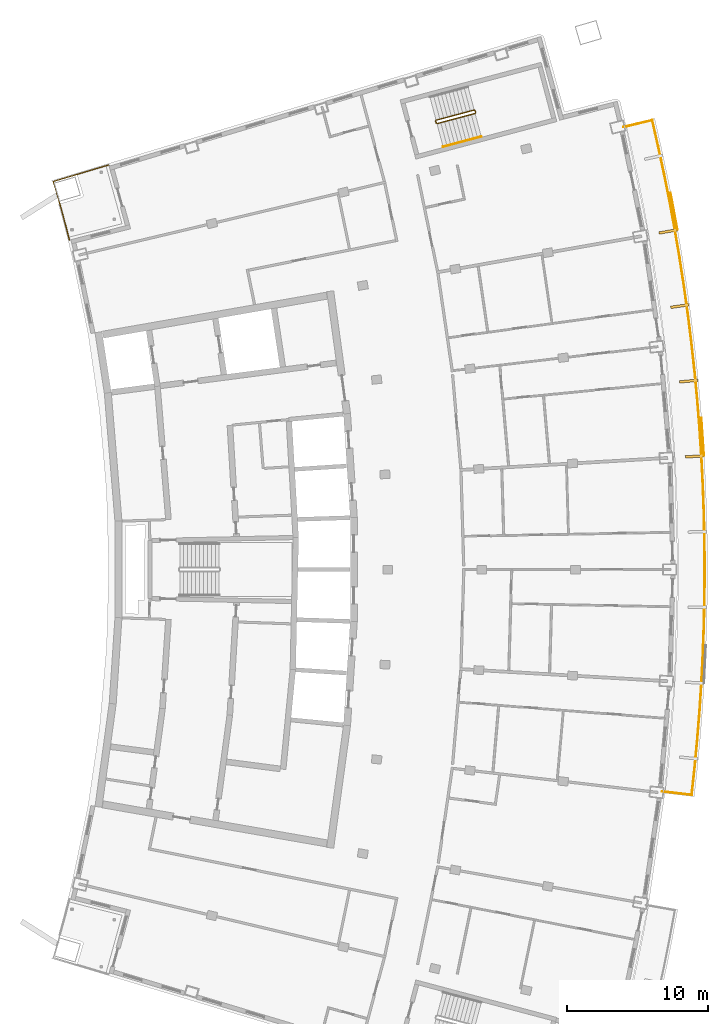
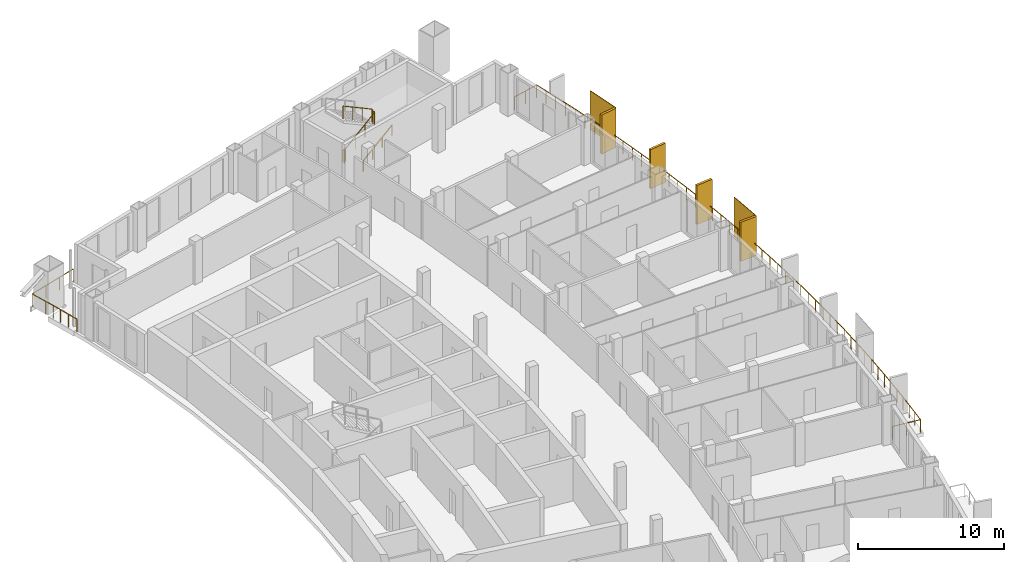
# One storey, part 15 of 16: 6 shading devices, 4 railings.
"""IFC4 building model written with IfcOpenShell, lengths in metres."""

from ifc_helpers import new_model, si_unit, direction, frame, origin, origin_2d, place, context, subcontext, project, spatial, rectangle, extrude, material, layer, layer_set, type_object, element, save


model = new_model("IFC4")

# Units and contexts
model_context = context("Model", 3, precision=1e-05, world=origin(), true_north=direction((0.0, 1.0)))
body_context = subcontext(model_context, "Body", "Model", "MODEL_VIEW")
ifc_project = project(units=[si_unit("LENGTHUNIT", "METRE"), si_unit("AREAUNIT", "SQUARE_METRE"), si_unit("VOLUMEUNIT", "CUBIC_METRE"), si_unit("PLANEANGLEUNIT", "RADIAN"), si_unit("MASSUNIT", "GRAM", prefix="KILO")], contexts=[model_context])

# Site, building, storey
site_placement = place(None, origin())
site = spatial("IfcSite", under=ifc_project, at=site_placement, CompositionType="ELEMENT")
building_placement = place(site_placement, origin())
building = spatial("IfcBuilding", under=site, at=building_placement, Name="Alderwake Tower", CompositionType="ELEMENT")
storey_placement = place(building_placement, frame((0.0, 0.0, 281.60009765625)))
storey = spatial("IfcBuildingStorey", under=building, at=storey_placement, Name="L70", CompositionType="ELEMENT", Elevation=281.60009765625)

# Railings
ifc_material_1 = material(Name="Stainless steel 316 rail and posts", Category="steel")
railing_type_1 = type_object("IfcRailingType", Name="Balcony guard 1100", PredefinedType="GUARDRAIL", material=ifc_material_1)
railing_1_placement = place(storey_placement, frame((55.28564453125, 45.243896484375, 0.0)))
element("IfcRailing", 1, at=railing_1_placement, inside=storey, type_object=railing_type_1, Name="Guard BF05", PredefinedType="GUARDRAIL", context=body_context, shape_type="SweptSolid", body=[
    extrude(rectangle(XDim=0.048095703125, YDim=0.048095703125, at=origin_2d()), frame((0.0, 0.0, 1.076171875), z_axis=(0.993287203457, -0.115674247125, 0.0), x_axis=(0.115674247125, 0.993287203457, 0.0)), (0.0, 0.0, 1.0), 2.10009765625),
    extrude(rectangle(XDim=0.048095703125, YDim=0.048095703125, at=origin_2d()), frame((2.0859375, -0.242919921875, 1.076171875), z_axis=(0.108767888102, 0.994067174047, 0.0), x_axis=(-0.994067174047, 0.108767888102, 0.0)), (0.0, 0.0, 1.0), 1.9169921875),
    extrude(rectangle(XDim=0.048095703125, YDim=0.048095703125, at=origin_2d()), frame((2.29443359375, 1.66259765625, 1.076171875), z_axis=(0.094660568138, 0.995509606604, 0.0), x_axis=(-0.995509606604, 0.094660568138, 0.0)), (0.0, 0.0, 1.0), 2.016845703125),
    extrude(rectangle(XDim=0.048095703125, YDim=0.048095703125, at=origin_2d()), frame((2.4853515625, 3.67041015625, 1.076171875), z_axis=(0.080139758047, 0.996783637095, 0.0), x_axis=(-0.996783637095, 0.080139758047, 0.0)), (0.0, 0.0, 1.0), 2.016845703125),
    extrude(rectangle(XDim=0.048095703125, YDim=0.048095703125, at=origin_2d()), frame((2.64697265625, 5.6806640625, 1.076171875), z_axis=(0.065490546604, 0.997853189756, 0.0), x_axis=(-0.997853189756, 0.065490546604, 0.0)), (0.0, 0.0, 1.0), 2.016845703125),
    extrude(rectangle(XDim=0.048095703125, YDim=0.048095703125, at=origin_2d()), frame((2.779052734375, 7.693115234375, 1.076171875), z_axis=(0.051078552606, 0.998694638748, 0.0), x_axis=(-0.998694638748, 0.051078552606, 0.0)), (0.0, 0.0, 1.0), 2.01708984375),
    extrude(rectangle(XDim=0.048095703125, YDim=0.048095703125, at=origin_2d()), frame((2.882080078125, 9.70751953125, 1.076171875), z_axis=(0.036438534793, 0.999335896074, 0.0), x_axis=(-0.999335896074, 0.036438534793, 0.0)), (0.0, 0.0, 1.0), 2.0166015625),
    extrude(rectangle(XDim=0.048095703125, YDim=0.048095703125, at=origin_2d()), frame((2.95556640625, 11.722900390625, 1.076171875), z_axis=(0.021910225153, 0.999759942203, 0.0), x_axis=(-0.999759942203, 0.021910225153, 0.0)), (0.0, 0.0, 1.0), 2.016845703125),
    extrude(rectangle(XDim=0.048095703125, YDim=0.048095703125, at=origin_2d()), frame((2.999755859375, 13.7392578125, 1.076171875), z_axis=(0.007262851653, 0.999973625145, 0.0), x_axis=(-0.999973625145, 0.007262851653, 0.0)), (0.0, 0.0, 1.0), 2.016845703125),
    extrude(rectangle(XDim=0.048095703125, YDim=0.048095703125, at=origin_2d()), frame((3.014404296875, 15.756103515625, 1.076171875), z_axis=(-0.007262851653, 0.999973625145, 0.0), x_axis=(-0.999973625145, -0.007262851653, 0.0)), (0.0, 0.0, 1.0), 2.016845703125),
    extrude(rectangle(XDim=0.048095703125, YDim=0.048095703125, at=origin_2d()), frame((2.999755859375, 17.77294921875, 1.076171875), z_axis=(-0.021910225153, 0.999759942203, 0.0), x_axis=(-0.999759942203, -0.021910225153, 0.0)), (0.0, 0.0, 1.0), 2.016845703125),
    extrude(rectangle(XDim=0.048095703125, YDim=0.048095703125, at=origin_2d()), frame((2.95556640625, 19.789306640625, 1.076171875), z_axis=(-0.036438534793, 0.999335896074, 0.0), x_axis=(-0.999335896074, -0.036438534793, 0.0)), (0.0, 0.0, 1.0), 2.0166015625),
    extrude(rectangle(XDim=0.048095703125, YDim=0.048095703125, at=origin_2d()), frame((2.882080078125, 21.8046875, 1.076171875), z_axis=(-0.051078552606, 0.998694638748, 0.0), x_axis=(-0.998694638748, -0.051078552606, 0.0)), (0.0, 0.0, 1.0), 2.01708984375),
    extrude(rectangle(XDim=0.048095703125, YDim=0.048095703125, at=origin_2d()), frame((2.779052734375, 23.819091796875, 1.076171875), z_axis=(-0.065490546604, 0.997853189756, 0.0), x_axis=(-0.997853189756, -0.065490546604, 0.0)), (0.0, 0.0, 1.0), 2.016845703125),
    extrude(rectangle(XDim=0.048095703125, YDim=0.048095703125, at=origin_2d()), frame((2.64697265625, 25.83154296875, 1.076171875), z_axis=(-0.080139758047, 0.996783637095, 0.0), x_axis=(-0.996783637095, -0.080139758047, 0.0)), (0.0, 0.0, 1.0), 2.016845703125),
    extrude(rectangle(XDim=0.048095703125, YDim=0.048095703125, at=origin_2d()), frame((2.4853515625, 27.841796875, 1.076171875), z_axis=(-0.094660568138, 0.995509606604, 0.0), x_axis=(-0.995509606604, -0.094660568138, 0.0)), (0.0, 0.0, 1.0), 2.016845703125),
    extrude(rectangle(XDim=0.048095703125, YDim=0.048095703125, at=origin_2d()), frame((2.29443359375, 29.849609375, 1.076171875), z_axis=(-0.109182608564, 0.994021709012, 0.0), x_axis=(-0.994021709012, -0.109182608564, 0.0)), (0.0, 0.0, 1.0), 2.016845703125),
    extrude(rectangle(XDim=0.048095703125, YDim=0.048095703125, at=origin_2d()), frame((2.07421875, 31.8544921875, 1.076171875), z_axis=(-0.12358778359, 0.992333643362, 0.0), x_axis=(-0.992333643362, -0.12358778359, 0.0)), (0.0, 0.0, 1.0), 2.016845703125),
    extrude(rectangle(XDim=0.048095703125, YDim=0.048095703125, at=origin_2d()), frame((1.824951171875, 33.85595703125, 1.076171875), z_axis=(-0.138115953445, 0.990416065805, 0.0), x_axis=(-0.990416065805, -0.138115953445, 0.0)), (0.0, 0.0, 1.0), 2.016845703125),
    extrude(rectangle(XDim=0.048095703125, YDim=0.048095703125, at=origin_2d()), frame((1.54638671875, 35.853515625, 1.076171875), z_axis=(-0.152530193773, 0.988298811083, 0.0), x_axis=(-0.988298811083, -0.152530193773, 0.0)), (0.0, 0.0, 1.0), 2.016845703125),
    extrude(rectangle(XDim=0.048095703125, YDim=0.048095703125, at=origin_2d()), frame((1.23876953125, 37.8466796875, 1.076171875), z_axis=(-0.166930722761, 0.985968627188, 0.0), x_axis=(-0.985968627188, -0.166930722761, 0.0)), (0.0, 0.0, 1.0), 2.016845703125),
    extrude(rectangle(XDim=0.048095703125, YDim=0.048095703125, at=origin_2d()), frame((0.902099609375, 39.835205078125, 1.076171875), z_axis=(-0.181334963414, 0.983421390373, 0.0), x_axis=(-0.983421390373, -0.181334963414, 0.0)), (0.0, 0.0, 1.0), 2.016845703125),
    extrude(rectangle(XDim=0.048095703125, YDim=0.048095703125, at=origin_2d()), frame((0.536376953125, 41.818603515625, 1.076171875), z_axis=(-0.195604007271, 0.980682962195, 0.0), x_axis=(-0.980682962195, -0.195604007271, 0.0)), (0.0, 0.0, 1.0), 2.01708984375),
    extrude(rectangle(XDim=0.048095703125, YDim=0.048095703125, at=origin_2d()), frame((0.141845703125, 43.796630859375, 1.076171875), z_axis=(-0.20990108156, 0.977722627313, 0.0), x_axis=(-0.977722627313, -0.20990108156, 0.0)), (0.0, 0.0, 1.0), 2.016845703125),
    extrude(rectangle(XDim=0.048095703125, YDim=0.048095703125, at=origin_2d()), frame((-0.281494140625, 45.7685546875, 1.076171875), z_axis=(-0.223789603838, 0.974637477842, 0.0), x_axis=(-0.974637477842, -0.223789603838, 0.0)), (0.0, 0.0, 1.0), 1.916748046875),
    extrude(rectangle(XDim=0.048095703125, YDim=0.048095703125, at=origin_2d()), frame((-0.71044921875, 47.63671875, 1.076171875), z_axis=(-0.973057638874, -0.230561990427, 0.0), x_axis=(0.230561990427, -0.973057638874, 0.0)), (0.0, 0.0, 1.0), 2.099853515625),
    extrude(rectangle(XDim=0.0419921875, YDim=0.0419921875, at=origin_2d()), frame((0.0, 0.0, 0.0), z_axis=(0.0, 0.0, 1.0), x_axis=(0.993287203457, -0.115674247125, 0.0)), (0.0, 0.0, 1.0), 1.052001953125),
    extrude(rectangle(XDim=0.0419921875, YDim=0.0419921875, at=origin_2d()), frame((1.04296875, -0.12158203125, 0.0), z_axis=(0.0, 0.0, 1.0), x_axis=(0.993287203457, -0.115674247125, 0.0)), (0.0, 0.0, 1.0), 1.052001953125),
    extrude(rectangle(XDim=0.0419921875, YDim=0.0419921875, at=origin_2d()), frame((2.0859375, -0.242919921875, 0.0), z_axis=(0.0, 0.0, 1.0), x_axis=(0.108767888102, 0.994067174047, 0.0)), (0.0, 0.0, 1.0), 1.052001953125),
    extrude(rectangle(XDim=0.0419921875, YDim=0.0419921875, at=origin_2d()), frame((2.190185546875, 0.7099609375, 0.0), z_axis=(0.0, 0.0, 1.0), x_axis=(0.108767888102, 0.994067174047, 0.0)), (0.0, 0.0, 1.0), 1.052001953125),
    extrude(rectangle(XDim=0.0419921875, YDim=0.0419921875, at=origin_2d()), frame((2.29443359375, 1.66259765625, 0.0), z_axis=(0.0, 0.0, 1.0), x_axis=(0.094660568138, 0.995509606604, 0.0)), (0.0, 0.0, 1.0), 1.052001953125),
    extrude(rectangle(XDim=0.0419921875, YDim=0.0419921875, at=origin_2d()), frame((2.389892578125, 2.66650390625, 0.0), z_axis=(0.0, 0.0, 1.0), x_axis=(0.094660568138, 0.995509606604, 0.0)), (0.0, 0.0, 1.0), 1.052001953125),
    extrude(rectangle(XDim=0.0419921875, YDim=0.0419921875, at=origin_2d()), frame((2.4853515625, 3.67041015625, 0.0), z_axis=(0.0, 0.0, 1.0), x_axis=(0.080139758047, 0.996783637095, 0.0)), (0.0, 0.0, 1.0), 1.052001953125),
    extrude(rectangle(XDim=0.0419921875, YDim=0.0419921875, at=origin_2d()), frame((2.566162109375, 4.675537109375, 0.0), z_axis=(0.0, 0.0, 1.0), x_axis=(0.080139758047, 0.996783637095, 0.0)), (0.0, 0.0, 1.0), 1.052001953125),
    extrude(rectangle(XDim=0.0419921875, YDim=0.0419921875, at=origin_2d()), frame((2.64697265625, 5.6806640625, 0.0), z_axis=(0.0, 0.0, 1.0), x_axis=(0.065490546604, 0.997853189756, 0.0)), (0.0, 0.0, 1.0), 1.052001953125),
    extrude(rectangle(XDim=0.0419921875, YDim=0.0419921875, at=origin_2d()), frame((2.712890625, 6.68701171875, 0.0), z_axis=(0.0, 0.0, 1.0), x_axis=(0.065490546604, 0.997853189756, 0.0)), (0.0, 0.0, 1.0), 1.052001953125),
    extrude(rectangle(XDim=0.0419921875, YDim=0.0419921875, at=origin_2d()), frame((2.779052734375, 7.693115234375, 0.0), z_axis=(0.0, 0.0, 1.0), x_axis=(0.051078552606, 0.998694638748, 0.0)), (0.0, 0.0, 1.0), 1.052001953125),
    extrude(rectangle(XDim=0.0419921875, YDim=0.0419921875, at=origin_2d()), frame((2.83056640625, 8.7001953125, 0.0), z_axis=(0.0, 0.0, 1.0), x_axis=(0.051078552606, 0.998694638748, 0.0)), (0.0, 0.0, 1.0), 1.052001953125),
    extrude(rectangle(XDim=0.0419921875, YDim=0.0419921875, at=origin_2d()), frame((2.882080078125, 9.70751953125, 0.0), z_axis=(0.0, 0.0, 1.0), x_axis=(0.036438534793, 0.999335896074, 0.0)), (0.0, 0.0, 1.0), 1.052001953125),
    extrude(rectangle(XDim=0.0419921875, YDim=0.0419921875, at=origin_2d()), frame((2.9189453125, 10.71533203125, 0.0), z_axis=(0.0, 0.0, 1.0), x_axis=(0.036438534793, 0.999335896074, 0.0)), (0.0, 0.0, 1.0), 1.052001953125),
    extrude(rectangle(XDim=0.0419921875, YDim=0.0419921875, at=origin_2d()), frame((2.95556640625, 11.722900390625, 0.0), z_axis=(0.0, 0.0, 1.0), x_axis=(0.021910225153, 0.999759942203, 0.0)), (0.0, 0.0, 1.0), 1.052001953125),
    extrude(rectangle(XDim=0.0419921875, YDim=0.0419921875, at=origin_2d()), frame((2.9775390625, 12.73095703125, 0.0), z_axis=(0.0, 0.0, 1.0), x_axis=(0.021910225153, 0.999759942203, 0.0)), (0.0, 0.0, 1.0), 1.052001953125),
    extrude(rectangle(XDim=0.0419921875, YDim=0.0419921875, at=origin_2d()), frame((2.999755859375, 13.7392578125, 0.0), z_axis=(0.0, 0.0, 1.0), x_axis=(0.007262851653, 0.999973625145, 0.0)), (0.0, 0.0, 1.0), 1.052001953125),
    extrude(rectangle(XDim=0.0419921875, YDim=0.0419921875, at=origin_2d()), frame((3.007080078125, 14.74755859375, 0.0), z_axis=(0.0, 0.0, 1.0), x_axis=(0.007262851653, 0.999973625145, 0.0)), (0.0, 0.0, 1.0), 1.052001953125),
    extrude(rectangle(XDim=0.0419921875, YDim=0.0419921875, at=origin_2d()), frame((3.014404296875, 15.756103515625, 0.0), z_axis=(0.0, 0.0, 1.0), x_axis=(-0.007262851653, 0.999973625145, 0.0)), (0.0, 0.0, 1.0), 1.052001953125),
    extrude(rectangle(XDim=0.0419921875, YDim=0.0419921875, at=origin_2d()), frame((3.007080078125, 16.7646484375, 0.0), z_axis=(0.0, 0.0, 1.0), x_axis=(-0.007262851653, 0.999973625145, 0.0)), (0.0, 0.0, 1.0), 1.052001953125),
    extrude(rectangle(XDim=0.0419921875, YDim=0.0419921875, at=origin_2d()), frame((2.999755859375, 17.77294921875, 0.0), z_axis=(0.0, 0.0, 1.0), x_axis=(-0.021910225153, 0.999759942203, 0.0)), (0.0, 0.0, 1.0), 1.052001953125),
    extrude(rectangle(XDim=0.0419921875, YDim=0.0419921875, at=origin_2d()), frame((2.9775390625, 18.78125, 0.0), z_axis=(0.0, 0.0, 1.0), x_axis=(-0.021910225153, 0.999759942203, 0.0)), (0.0, 0.0, 1.0), 1.052001953125),
    extrude(rectangle(XDim=0.0419921875, YDim=0.0419921875, at=origin_2d()), frame((2.95556640625, 19.789306640625, 0.0), z_axis=(0.0, 0.0, 1.0), x_axis=(-0.036438534793, 0.999335896074, 0.0)), (0.0, 0.0, 1.0), 1.052001953125),
    extrude(rectangle(XDim=0.0419921875, YDim=0.0419921875, at=origin_2d()), frame((2.9189453125, 20.796875, 0.0), z_axis=(0.0, 0.0, 1.0), x_axis=(-0.036438534793, 0.999335896074, 0.0)), (0.0, 0.0, 1.0), 1.052001953125),
    extrude(rectangle(XDim=0.0419921875, YDim=0.0419921875, at=origin_2d()), frame((2.882080078125, 21.8046875, 0.0), z_axis=(0.0, 0.0, 1.0), x_axis=(-0.051078552606, 0.998694638748, 0.0)), (0.0, 0.0, 1.0), 1.052001953125),
    extrude(rectangle(XDim=0.0419921875, YDim=0.0419921875, at=origin_2d()), frame((2.83056640625, 22.81201171875, 0.0), z_axis=(0.0, 0.0, 1.0), x_axis=(-0.051078552606, 0.998694638748, 0.0)), (0.0, 0.0, 1.0), 1.052001953125),
    extrude(rectangle(XDim=0.0419921875, YDim=0.0419921875, at=origin_2d()), frame((2.779052734375, 23.819091796875, 0.0), z_axis=(0.0, 0.0, 1.0), x_axis=(-0.065490546604, 0.997853189756, 0.0)), (0.0, 0.0, 1.0), 1.052001953125),
    extrude(rectangle(XDim=0.0419921875, YDim=0.0419921875, at=origin_2d()), frame((2.712890625, 24.8251953125, 0.0), z_axis=(0.0, 0.0, 1.0), x_axis=(-0.065490546604, 0.997853189756, 0.0)), (0.0, 0.0, 1.0), 1.052001953125),
    extrude(rectangle(XDim=0.0419921875, YDim=0.0419921875, at=origin_2d()), frame((2.64697265625, 25.83154296875, 0.0), z_axis=(0.0, 0.0, 1.0), x_axis=(-0.080139758047, 0.996783637095, 0.0)), (0.0, 0.0, 1.0), 1.052001953125),
    extrude(rectangle(XDim=0.0419921875, YDim=0.0419921875, at=origin_2d()), frame((2.566162109375, 26.836669921875, 0.0), z_axis=(0.0, 0.0, 1.0), x_axis=(-0.080139758047, 0.996783637095, 0.0)), (0.0, 0.0, 1.0), 1.052001953125),
    extrude(rectangle(XDim=0.0419921875, YDim=0.0419921875, at=origin_2d()), frame((2.4853515625, 27.841796875, 0.0), z_axis=(0.0, 0.0, 1.0), x_axis=(-0.094660568138, 0.995509606604, 0.0)), (0.0, 0.0, 1.0), 1.052001953125),
    extrude(rectangle(XDim=0.0419921875, YDim=0.0419921875, at=origin_2d()), frame((2.389892578125, 28.845703125, 0.0), z_axis=(0.0, 0.0, 1.0), x_axis=(-0.094660568138, 0.995509606604, 0.0)), (0.0, 0.0, 1.0), 1.052001953125),
    extrude(rectangle(XDim=0.0419921875, YDim=0.0419921875, at=origin_2d()), frame((2.29443359375, 29.849609375, 0.0), z_axis=(0.0, 0.0, 1.0), x_axis=(-0.109182608564, 0.994021709012, 0.0)), (0.0, 0.0, 1.0), 1.052001953125),
    extrude(rectangle(XDim=0.0419921875, YDim=0.0419921875, at=origin_2d()), frame((2.184326171875, 30.85205078125, 0.0), z_axis=(0.0, 0.0, 1.0), x_axis=(-0.109182608564, 0.994021709012, 0.0)), (0.0, 0.0, 1.0), 1.052001953125),
    extrude(rectangle(XDim=0.0419921875, YDim=0.0419921875, at=origin_2d()), frame((2.07421875, 31.8544921875, 0.0), z_axis=(0.0, 0.0, 1.0), x_axis=(-0.12358778359, 0.992333643362, 0.0)), (0.0, 0.0, 1.0), 1.052001953125),
    extrude(rectangle(XDim=0.0419921875, YDim=0.0419921875, at=origin_2d()), frame((1.94970703125, 32.855224609375, 0.0), z_axis=(0.0, 0.0, 1.0), x_axis=(-0.12358778359, 0.992333643362, 0.0)), (0.0, 0.0, 1.0), 1.052001953125),
    extrude(rectangle(XDim=0.0419921875, YDim=0.0419921875, at=origin_2d()), frame((1.824951171875, 33.85595703125, 0.0), z_axis=(0.0, 0.0, 1.0), x_axis=(-0.138115953445, 0.990416065805, 0.0)), (0.0, 0.0, 1.0), 1.052001953125),
    extrude(rectangle(XDim=0.0419921875, YDim=0.0419921875, at=origin_2d()), frame((1.685546875, 34.854736328125, 0.0), z_axis=(0.0, 0.0, 1.0), x_axis=(-0.138115953445, 0.990416065805, 0.0)), (0.0, 0.0, 1.0), 1.052001953125),
    extrude(rectangle(XDim=0.0419921875, YDim=0.0419921875, at=origin_2d()), frame((1.54638671875, 35.853515625, 0.0), z_axis=(0.0, 0.0, 1.0), x_axis=(-0.152530193773, 0.988298811083, 0.0)), (0.0, 0.0, 1.0), 1.052001953125),
    extrude(rectangle(XDim=0.0419921875, YDim=0.0419921875, at=origin_2d()), frame((1.392578125, 36.85009765625, 0.0), z_axis=(0.0, 0.0, 1.0), x_axis=(-0.152530193773, 0.988298811083, 0.0)), (0.0, 0.0, 1.0), 1.052001953125),
    extrude(rectangle(XDim=0.0419921875, YDim=0.0419921875, at=origin_2d()), frame((1.23876953125, 37.8466796875, 0.0), z_axis=(0.0, 0.0, 1.0), x_axis=(-0.166930722761, 0.985968627188, 0.0)), (0.0, 0.0, 1.0), 1.052001953125),
    extrude(rectangle(XDim=0.0419921875, YDim=0.0419921875, at=origin_2d()), frame((1.0703125, 38.8408203125, 0.0), z_axis=(0.0, 0.0, 1.0), x_axis=(-0.166930722761, 0.985968627188, 0.0)), (0.0, 0.0, 1.0), 1.052001953125),
    extrude(rectangle(XDim=0.0419921875, YDim=0.0419921875, at=origin_2d()), frame((0.902099609375, 39.835205078125, 0.0), z_axis=(0.0, 0.0, 1.0), x_axis=(-0.181334963414, 0.983421390373, 0.0)), (0.0, 0.0, 1.0), 1.052001953125),
    extrude(rectangle(XDim=0.0419921875, YDim=0.0419921875, at=origin_2d()), frame((0.71923828125, 40.826904296875, 0.0), z_axis=(0.0, 0.0, 1.0), x_axis=(-0.181334963414, 0.983421390373, 0.0)), (0.0, 0.0, 1.0), 1.052001953125),
    extrude(rectangle(XDim=0.0419921875, YDim=0.0419921875, at=origin_2d()), frame((0.536376953125, 41.818603515625, 0.0), z_axis=(0.0, 0.0, 1.0), x_axis=(-0.195604007271, 0.980682962195, 0.0)), (0.0, 0.0, 1.0), 1.052001953125),
    extrude(rectangle(XDim=0.0419921875, YDim=0.0419921875, at=origin_2d()), frame((0.339111328125, 42.8076171875, 0.0), z_axis=(0.0, 0.0, 1.0), x_axis=(-0.195604007271, 0.980682962195, 0.0)), (0.0, 0.0, 1.0), 1.052001953125),
    extrude(rectangle(XDim=0.0419921875, YDim=0.0419921875, at=origin_2d()), frame((0.141845703125, 43.796630859375, 0.0), z_axis=(0.0, 0.0, 1.0), x_axis=(-0.20990108156, 0.977722627313, 0.0)), (0.0, 0.0, 1.0), 1.052001953125),
    extrude(rectangle(XDim=0.0419921875, YDim=0.0419921875, at=origin_2d()), frame((-0.06982421875, 44.78271484375, 0.0), z_axis=(0.0, 0.0, 1.0), x_axis=(-0.20990108156, 0.977722627313, 0.0)), (0.0, 0.0, 1.0), 1.052001953125),
    extrude(rectangle(XDim=0.0419921875, YDim=0.0419921875, at=origin_2d()), frame((-0.281494140625, 45.7685546875, 0.0), z_axis=(0.0, 0.0, 1.0), x_axis=(-0.223789603838, 0.974637477842, 0.0)), (0.0, 0.0, 1.0), 1.052001953125),
    extrude(rectangle(XDim=0.0419921875, YDim=0.0419921875, at=origin_2d()), frame((-0.49609375, 46.70263671875, 0.0), z_axis=(0.0, 0.0, 1.0), x_axis=(-0.223789603838, 0.974637477842, 0.0)), (0.0, 0.0, 1.0), 1.052001953125),
    extrude(rectangle(XDim=0.0419921875, YDim=0.0419921875, at=origin_2d()), frame((-0.71044921875, 47.63671875, 0.0), z_axis=(0.0, 0.0, 1.0), x_axis=(-0.973057638874, -0.230561990427, 0.0)), (0.0, 0.0, 1.0), 1.052001953125),
    extrude(rectangle(XDim=0.0419921875, YDim=0.0419921875, at=origin_2d()), frame((-1.73193359375, 47.39453125, 0.0), z_axis=(0.0, 0.0, 1.0), x_axis=(-0.973057638874, -0.230561990427, 0.0)), (0.0, 0.0, 1.0), 1.052001953125),
    extrude(rectangle(XDim=0.0419921875, YDim=0.0419921875, at=origin_2d()), frame((-2.753662109375, 47.152587890625, 0.0), z_axis=(0.0, 0.0, 1.0), x_axis=(-0.973057638874, -0.230561990427, 0.0)), (0.0, 0.0, 1.0), 1.052001953125),
])
railing_2_placement = place(storey_placement, frame((13.210693359375, 84.387451171875, 0.0)))
element("IfcRailing", 2, at=railing_2_placement, inside=storey, type_object=railing_type_1, Name="Guard terrace RN", PredefinedType="GUARDRAIL", context=body_context, shape_type="SweptSolid", body=[
    extrude(rectangle(XDim=0.048095703125, YDim=0.048095703125, at=origin_2d()), frame((0.0, 0.0, 1.076171875), z_axis=(-0.251385381433, 0.967887075026, 0.0), x_axis=(-0.967887075026, -0.251385381433, 0.0)), (0.0, 0.0, 1.0), 1.6015625),
    extrude(rectangle(XDim=0.048095703125, YDim=0.048095703125, at=origin_2d()), frame((-0.402587890625, 1.550048828125, 1.076171875), z_axis=(-0.266520638672, 0.963829211615, 0.0), x_axis=(-0.963829211615, -0.266520638672, 0.0)), (0.0, 0.0, 1.0), 1.401611328125),
    extrude(rectangle(XDim=0.048095703125, YDim=0.048095703125, at=origin_2d()), frame((-0.776123046875, 2.90087890625, 1.076171875), z_axis=(-0.280093650878, 0.959972680204, 0.0), x_axis=(-0.959972680204, -0.280093650878, 0.0)), (0.0, 0.0, 1.0), 1.30126953125),
    extrude(rectangle(XDim=0.048095703125, YDim=0.048095703125, at=origin_2d()), frame((-1.140625, 4.150146484375, 1.076171875), z_axis=(0.958066871889, 0.286544706789, 0.0), x_axis=(-0.286544706789, 0.958066871889, 0.0)), (0.0, 0.0, 1.0), 4.099853515625),
    extrude(rectangle(XDim=0.0419921875, YDim=0.0419921875, at=origin_2d()), frame((0.0, 0.0, 0.0), z_axis=(0.0, 0.0, 1.0), x_axis=(-0.251385381433, 0.967887075026, 0.0)), (0.0, 0.0, 1.0), 1.052001953125),
    extrude(rectangle(XDim=0.0419921875, YDim=0.0419921875, at=origin_2d()), frame((-0.201171875, 0.77490234375, 0.0), z_axis=(0.0, 0.0, 1.0), x_axis=(-0.251385381433, 0.967887075026, 0.0)), (0.0, 0.0, 1.0), 1.052001953125),
    extrude(rectangle(XDim=0.0419921875, YDim=0.0419921875, at=origin_2d()), frame((-0.402587890625, 1.550048828125, 0.0), z_axis=(0.0, 0.0, 1.0), x_axis=(-0.266520638672, 0.963829211615, 0.0)), (0.0, 0.0, 1.0), 1.052001953125),
    extrude(rectangle(XDim=0.0419921875, YDim=0.0419921875, at=origin_2d()), frame((-0.58935546875, 2.2255859375, 0.0), z_axis=(0.0, 0.0, 1.0), x_axis=(-0.266520638672, 0.963829211615, 0.0)), (0.0, 0.0, 1.0), 1.052001953125),
    extrude(rectangle(XDim=0.0419921875, YDim=0.0419921875, at=origin_2d()), frame((-0.776123046875, 2.90087890625, 0.0), z_axis=(0.0, 0.0, 1.0), x_axis=(-0.280093650878, 0.959972680204, 0.0)), (0.0, 0.0, 1.0), 1.052001953125),
    extrude(rectangle(XDim=0.0419921875, YDim=0.0419921875, at=origin_2d()), frame((-1.140625, 4.150146484375, 0.0), z_axis=(0.0, 0.0, 1.0), x_axis=(0.958066871889, 0.286544706789, 0.0)), (0.0, 0.0, 1.0), 1.052001953125),
    extrude(rectangle(XDim=0.0419921875, YDim=0.0419921875, at=origin_2d()), frame((0.168701171875, 4.541748046875, 0.0), z_axis=(0.0, 0.0, 1.0), x_axis=(0.958066871889, 0.286544706789, 0.0)), (0.0, 0.0, 1.0), 1.052001953125),
    extrude(rectangle(XDim=0.0419921875, YDim=0.0419921875, at=origin_2d()), frame((1.47802734375, 4.933349609375, 0.0), z_axis=(0.0, 0.0, 1.0), x_axis=(0.958066871889, 0.286544706789, 0.0)), (0.0, 0.0, 1.0), 1.052001953125),
    extrude(rectangle(XDim=0.0419921875, YDim=0.0419921875, at=origin_2d()), frame((2.787353515625, 5.324951171875, 0.0), z_axis=(0.0, 0.0, 1.0), x_axis=(0.958066871889, 0.286544706789, 0.0)), (0.0, 0.0, 1.0), 1.052001953125),
])

# Shading devices
ifc_material_2 = material(Name="Bronze anodised aluminium", Category="aluminium")
ifc_layer_1 = layer(ifc_material_2, 0.179931640625)
ifc_layer_set_1 = layer_set([ifc_layer_1], Name="Facade fin 1300")
shading_device_type_1 = type_object("IfcShadingDeviceType", Name="Facade fin 1300", PredefinedType="USERDEFINED", material=ifc_layer_set_1)
for number, where, z_axis, x_axis, name in (
    (3, (57.56591796875, 69.029296875, 0.0), (0.0, 0.0, 1.0), (0.998301080988, 0.058266214038, 0.0), "Fin"),
    (4, (57.149658203125, 74.373046875, 0.0), (0.0, 0.0, 1.0), (0.995279882363, 0.097046152751, 0.0), "Fin"),
    (5, (56.525634765625, 79.69677734375, 0.0), (0.0, 0.0, 1.0), (0.990752577235, 0.135680988728, 0.0), "Fin"),
    (6, (55.6953125, 84.9921875, 0.0), (0.0, 0.0, 1.0), (0.984726421654, 0.174108800747, 0.0), "Fin"),
):
    element("IfcShadingDevice", number, at=place(storey_placement, frame(where, z_axis=z_axis, x_axis=x_axis)), inside=storey, type_object=shading_device_type_1, Name=name, ObjectType="FIN", PredefinedType="USERDEFINED", context=body_context, shape_type="SweptSolid", body=[
        extrude(rectangle(XDim=1.300048828125, YDim=0.179931640625, at=origin_2d()), origin(), (0.0, 0.0, 1.0), 3.280029296875),
    ])
ifc_material_3 = material(Name="Perforated bronze anodised aluminium", Category="aluminium")
ifc_layer_2 = layer(ifc_material_3, 0.050048828125)
ifc_layer_set_2 = layer_set([ifc_layer_2], Name="Perforated screen panel")
shading_device_type_2 = type_object("IfcShadingDeviceType", Name="Perforated screen panel", PredefinedType="USERDEFINED", material=ifc_layer_set_2)
shading_device_1_placement = place(storey_placement, frame((58.14794921875, 70.41552734375, 0.0), z_axis=(0.0, 0.0, 1.0), x_axis=(0.997685465774, 0.067997877779, 0.0)))
element("IfcShadingDevice", 7, at=shading_device_1_placement, inside=storey, type_object=shading_device_type_2, Name="Screen panel", ObjectType="SCREEN", PredefinedType="USERDEFINED", context=body_context, shape_type="SweptSolid", body=[
    extrude(rectangle(XDim=0.050048828125, YDim=2.7001953125, at=origin_2d()), origin(), (0.0, 0.0, 1.0), 3.280029296875),
])
shading_device_2_placement = place(storey_placement, frame((56.11328125, 86.429931640625, 0.0), z_axis=(0.0, 0.0, 1.0), x_axis=(0.982991488043, 0.183651121519, 0.0)))
element("IfcShadingDevice", 8, at=shading_device_2_placement, inside=storey, type_object=shading_device_type_2, Name="Screen panel", ObjectType="SCREEN", PredefinedType="USERDEFINED", context=body_context, shape_type="SweptSolid", body=[
    extrude(rectangle(XDim=0.050048828125, YDim=2.686279296875, at=origin_2d()), origin(), (0.0, 0.0, 1.0), 3.280029296875),
])

# Railings
ifc_material_4 = material(Name="Stainless steel guard", Category="steel")
railing_type_2 = type_object("IfcRailingType", Name="Stair guard 1100", PredefinedType="GUARDRAIL", material=ifc_material_4)
railing_3_placement = place(storey_placement, frame((39.23291015625, 92.6806640625, 0.0)))
element("IfcRailing", 9, at=railing_3_placement, inside=storey, type_object=railing_type_2, Name="L70 ST-A stair guard 1", PredefinedType="GUARDRAIL", context=body_context, shape_type="SweptSolid", body=[
    extrude(rectangle(XDim=0.048095703125, YDim=0.048095703125, at=origin_2d()), frame((0.0, 0.0, 1.076171875), z_axis=(-0.257055032184, 0.966396766566, 0.0), x_axis=(-0.966396766566, -0.257055032184, 0.0)), (0.0, 0.0, 1.0), 0.150146484375),
    extrude(rectangle(XDim=0.048095703125, YDim=0.048095703125, at=origin_2d()), frame((-0.03857421875, 0.14501953125, 1.076171875), z_axis=(0.379370725808, -0.685464465458, 0.621463047167), x_axis=(0.874937996095, 0.484234966715, 0.0)), (0.0, 0.0, 1.0), 0.26318359375),
    extrude(rectangle(XDim=0.048095703125, YDim=0.048095703125, at=origin_2d()), frame((0.061279296875, -0.035400390625, 1.23974609375), z_axis=(0.834290631165, 0.222236594766, 0.504549342183), x_axis=(-0.257402139082, 0.966304371715, 0.0)), (0.0, 0.0, 1.0), 3.242919921875),
    extrude(rectangle(XDim=0.048095703125, YDim=0.048095703125, at=origin_2d()), frame((2.766845703125, 0.685302734375, 2.8759765625), z_axis=(0.500220121494, 0.865898279276, 0.0), x_axis=(-0.865898279276, 0.500220121494, 0.0)), (0.0, 0.0, 1.0), 0.07080078125),
    extrude(rectangle(XDim=0.048095703125, YDim=0.048095703125, at=origin_2d()), frame((2.80224609375, 0.74658203125, 2.8759765625), z_axis=(-0.257459803502, 0.966289009345, 0.0), x_axis=(-0.966289009345, -0.257459803502, 0.0)), (0.0, 0.0, 1.0), 0.14990234375),
    extrude(rectangle(XDim=0.048095703125, YDim=0.048095703125, at=origin_2d()), frame((2.763671875, 0.891357421875, 2.8759765625), z_axis=(-0.34209458732, 0.199783238995, 0.918181872367), x_axis=(-0.504300490226, -0.863528236688, 0.0)), (0.0, 0.0, 1.0), 0.178466796875),
    extrude(rectangle(XDim=0.048095703125, YDim=0.048095703125, at=origin_2d()), frame((2.70263671875, 0.927001953125, 3.03955078125), z_axis=(-0.834313512087, -0.222222637163, 0.504517653885), x_axis=(0.257380452725, -0.966310148221, 0.0)), (0.0, 0.0, 1.0), 3.2431640625),
    extrude(rectangle(XDim=0.0419921875, YDim=0.0419921875, at=origin_2d()), frame((0.0, 0.0, 0.0), z_axis=(0.0, 0.0, 1.0), x_axis=(-0.257055032184, 0.966396766566, 0.0)), (0.0, 0.0, 1.0), 1.052001953125),
    extrude(rectangle(XDim=0.0419921875, YDim=0.0419921875, at=origin_2d()), frame((-0.03857421875, 0.14501953125, 0.0), z_axis=(0.0, 0.0, 1.0), x_axis=(0.484234966715, -0.874937996095, 0.0)), (0.0, 0.0, 1.0), 1.052001953125),
    extrude(rectangle(XDim=0.0419921875, YDim=0.0419921875, at=origin_2d()), frame((0.061279296875, -0.035400390625, 0.16357421875), z_axis=(0.0, 0.0, 1.0), x_axis=(0.966304371715, 0.257402139082, 0.0)), (0.0, 0.0, 1.0), 1.052001953125),
    extrude(rectangle(XDim=0.0419921875, YDim=0.0419921875, at=origin_2d()), frame((0.963134765625, 0.204833984375, 0.708984375), z_axis=(0.0, 0.0, 1.0), x_axis=(0.966304371715, 0.257402139082, 0.0)), (0.0, 0.0, 1.0), 1.052001953125),
    extrude(rectangle(XDim=0.0419921875, YDim=0.0419921875, at=origin_2d()), frame((1.864990234375, 0.445068359375, 1.25439453125), z_axis=(0.0, 0.0, 1.0), x_axis=(0.966304371715, 0.257402139082, 0.0)), (0.0, 0.0, 1.0), 1.052001953125),
    extrude(rectangle(XDim=0.0419921875, YDim=0.0419921875, at=origin_2d()), frame((2.766845703125, 0.685302734375, 1.7998046875), z_axis=(0.0, 0.0, 1.0), x_axis=(0.500220121494, 0.865898279276, 0.0)), (0.0, 0.0, 1.0), 1.052001953125),
    extrude(rectangle(XDim=0.0419921875, YDim=0.0419921875, at=origin_2d()), frame((2.80224609375, 0.74658203125, 1.7998046875), z_axis=(0.0, 0.0, 1.0), x_axis=(-0.257459803502, 0.966289009345, 0.0)), (0.0, 0.0, 1.0), 1.052001953125),
    extrude(rectangle(XDim=0.0419921875, YDim=0.0419921875, at=origin_2d()), frame((2.763671875, 0.891357421875, 1.7998046875), z_axis=(0.0, 0.0, 1.0), x_axis=(-0.863528236688, 0.504300490226, 0.0)), (0.0, 0.0, 1.0), 1.052001953125),
    extrude(rectangle(XDim=0.0419921875, YDim=0.0419921875, at=origin_2d()), frame((2.70263671875, 0.927001953125, 1.963623046875), z_axis=(0.0, 0.0, 1.0), x_axis=(-0.966310148221, -0.257380452725, 0.0)), (0.0, 0.0, 1.0), 1.052001953125),
    extrude(rectangle(XDim=0.0419921875, YDim=0.0419921875, at=origin_2d()), frame((1.80078125, 0.686767578125, 2.509033203125), z_axis=(0.0, 0.0, 1.0), x_axis=(-0.966310148221, -0.257380452725, 0.0)), (0.0, 0.0, 1.0), 1.052001953125),
    extrude(rectangle(XDim=0.0419921875, YDim=0.0419921875, at=origin_2d()), frame((0.898681640625, 0.446533203125, 3.054443359375), z_axis=(0.0, 0.0, 1.0), x_axis=(-0.966310148221, -0.257380452725, 0.0)), (0.0, 0.0, 1.0), 1.052001953125),
    extrude(rectangle(XDim=0.0419921875, YDim=0.0419921875, at=origin_2d()), frame((-0.003173828125, 0.206298828125, 3.599853515625), z_axis=(0.0, 0.0, 1.0), x_axis=(-0.966310148221, -0.257380452725, 0.0)), (0.0, 0.0, 1.0), 1.052001953125),
])
ifc_material_5 = material(Name="Stainless steel handrail", Category="steel")
railing_type_3 = type_object("IfcRailingType", Name="Stair handrail 900", PredefinedType="HANDRAIL", material=ifc_material_5)
railing_4_placement = place(storey_placement, frame((39.731689453125, 91.002685546875, 0.16357421875)))
element("IfcRailing", 10, at=railing_4_placement, inside=storey, type_object=railing_type_3, Name="L70 ST-A stair handrail 1", PredefinedType="HANDRAIL", context=body_context, shape_type="SweptSolid", body=[
    extrude(rectangle(XDim=0.048095703125, YDim=0.048095703125, at=origin_2d()), frame((0.0, 0.0, 0.8759765625), z_axis=(0.834290631165, 0.222236594766, 0.504549342183), x_axis=(-0.257402139082, 0.966304371715, 0.0)), (0.0, 0.0, 1.0), 3.242919921875),
    extrude(rectangle(XDim=0.0419921875, YDim=0.0419921875, at=origin_2d()), frame((0.0, 0.0, 0.0), z_axis=(0.0, 0.0, 1.0), x_axis=(0.966304371715, 0.257402139082, 0.0)), (0.0, 0.0, 1.0), 0.851806640625),
    extrude(rectangle(XDim=0.0419921875, YDim=0.0419921875, at=origin_2d()), frame((0.90185546875, 0.240234375, 0.54541015625), z_axis=(0.0, 0.0, 1.0), x_axis=(0.966304371715, 0.257402139082, 0.0)), (0.0, 0.0, 1.0), 0.851806640625),
    extrude(rectangle(XDim=0.0419921875, YDim=0.0419921875, at=origin_2d()), frame((1.8037109375, 0.48046875, 1.0908203125), z_axis=(0.0, 0.0, 1.0), x_axis=(0.966304371715, 0.257402139082, 0.0)), (0.0, 0.0, 1.0), 0.851806640625),
    extrude(rectangle(XDim=0.0419921875, YDim=0.0419921875, at=origin_2d()), frame((2.70556640625, 0.720703125, 1.63623046875), z_axis=(0.0, 0.0, 1.0), x_axis=(0.966304371715, 0.257402139082, 0.0)), (0.0, 0.0, 1.0), 0.851806640625),
])

save(model, "model.ifc")
